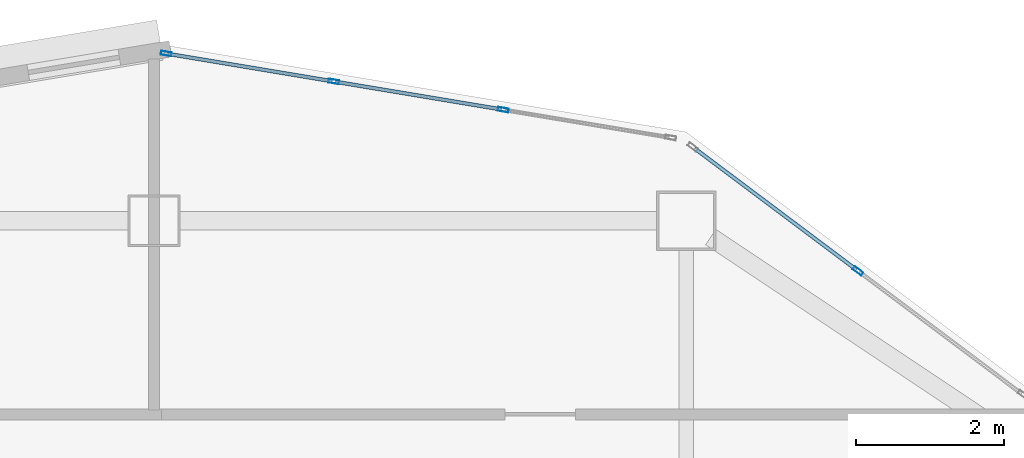
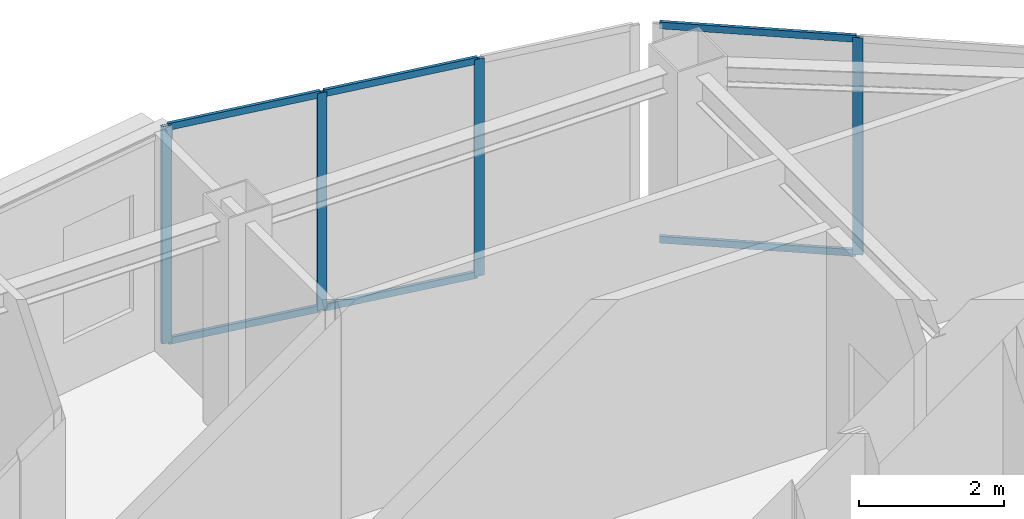
# One storey, part 2 of 10: 10 members, 2 elements without a shape of their own.
"""IFC4 building model written with IfcOpenShell, lengths in metres."""

import ifcopenshell
import ifcopenshell.guid

model = None  # the IFC model being written
_history = None  # IfcOwnerHistory: only IFC2X3 demands one
_inside = {}  # id of a spatial element -> (the spatial element, [elements in it])
_under = {}  # id of a project, library or spatial element -> (it, [spatial elements below it])
_declared = {}  # id of a project -> (the project, [libraries it declares])
_typed = {}  # id of a type object -> (the type object, [elements of that type])
_made_of = {}  # id of a material, layer set ... -> (it, [elements and type objects made of it])


def new_model(schema):
    """Start an empty IFC model of exactly this schema.

    Asked for "IFC4X3", IfcOpenShell would pick the latest addendum, in which some entities
    have other attributes; the version numbers below select the first issue.
    IFC2X3 requires an IfcOwnerHistory on every rooted entity: one is made here for all.
    """
    global model, _history
    if schema == "IFC4X3":
        model = ifcopenshell.file(schema_version=(4, 3, 0, 0))
    else:
        model = ifcopenshell.file(schema=schema)
    _inside.clear()
    _under.clear()
    _declared.clear()
    _typed.clear()
    _made_of.clear()
    _history = None
    if model.schema == "IFC2X3":
        org = make("IfcOrganization", Name="unknown")
        user = make(
            "IfcPersonAndOrganization",
            ThePerson=make("IfcPerson", FamilyName="unknown"),
            TheOrganization=org,
        )
        app = make(
            "IfcApplication",
            ApplicationDeveloper=org,
            Version="unknown",
            ApplicationFullName="unknown",
            ApplicationIdentifier="unknown",
        )
        _history = make(
            "IfcOwnerHistory",
            OwningUser=user,
            OwningApplication=app,
            ChangeAction="ADDED",
            CreationDate=0,
        )
    return model


def make(cls, **values):
    """One entity of the class cls with the attributes given. An attribute that is None is left unset."""
    return model.create_entity(
        cls, **{name: value for name, value in values.items() if value is not None}
    )


def rooted(cls, **values):
    """An entity with a GlobalId (a new one), such as an element, a storey or a relation."""
    return make(cls, GlobalId=ifcopenshell.guid.new(), OwnerHistory=_history, **values)


def si_unit(unit_type, name, prefix=None):
    """IfcSIUnit, for example si_unit("LENGTHUNIT", "METRE", prefix="MILLI")."""
    return make("IfcSIUnit", UnitType=unit_type, Prefix=prefix, Name=name)


def assignment(units):
    """IfcUnitAssignment: the units of a project."""
    return None if units is None else make("IfcUnitAssignment", Units=units)


def point(xyz):
    """IfcCartesianPoint."""
    return None if xyz is None else make("IfcCartesianPoint", Coordinates=xyz)


def direction(xyz):
    """IfcDirection."""
    return None if xyz is None else make("IfcDirection", DirectionRatios=xyz)


def frame(location, z_axis=None, x_axis=None):
    """IfcAxis2Placement3D, a coordinate frame: its origin and axes. An axis left out is left unset."""
    return make(
        "IfcAxis2Placement3D",
        Location=point(location),
        Axis=direction(z_axis),
        RefDirection=direction(x_axis),
    )


def frame_2d(location, x_axis=None):
    """IfcAxis2Placement2D, a coordinate frame in the plane: its origin and x axis."""
    return make(
        "IfcAxis2Placement2D", Location=point(location), RefDirection=direction(x_axis)
    )


def origin():
    """The frame at (0, 0, 0) with its axes left unset."""
    return frame((0.0, 0.0, 0.0))


def origin_2d():
    """The frame at (0, 0) in the plane with its x axis left unset."""
    return frame_2d((0.0, 0.0))


def place(relative_to, where):
    """IfcLocalPlacement: puts the frame where relative to a parent placement (None: the world)."""
    return make(
        "IfcLocalPlacement", PlacementRelTo=relative_to, RelativePlacement=where
    )


def context(
    kind, dimensions, precision=None, world=None, true_north=None, identifier=None
):
    """IfcGeometricRepresentationContext, for example the 3D "Model" context."""
    return make(
        "IfcGeometricRepresentationContext",
        ContextIdentifier=identifier,
        ContextType=kind,
        CoordinateSpaceDimension=dimensions,
        Precision=precision,
        WorldCoordinateSystem=world,
        TrueNorth=true_north,
    )


def subcontext(parent, identifier, kind, view, scale=None):
    """IfcGeometricRepresentationSubContext, for example "Body" below "Model"."""
    return make(
        "IfcGeometricRepresentationSubContext",
        ContextIdentifier=identifier,
        ContextType=kind,
        ParentContext=parent,
        TargetScale=scale,
        TargetView=view,
    )


def project(units=None, contexts=None):
    """IfcProject with its units and contexts."""
    return rooted(
        "IfcProject",
        Name="project",
        RepresentationContexts=contexts,
        UnitsInContext=assignment(units),
    )


def spatial(cls, under=None, at=None, **own):
    """A site, building, storey or space (cls), placed at a placement, below another one or the project."""
    s = rooted(cls, ObjectPlacement=at, **own)
    if under is not None:
        _under.setdefault(under.id(), (under, []))[1].append(s)
    return s


def profile(cls, at=None, kind="AREA", **sizes):
    """A parametric profile (cls). Its sizes go by their IFC names, for example OverallWidth=200.0."""
    return make(cls, ProfileType=kind, Position=at, **sizes)


def hollow_rectangle(**sizes):
    """IfcRectangleHollowProfileDef."""
    return profile("IfcRectangleHollowProfileDef", **sizes)


def extrude(swept, where, along, depth):
    """IfcExtrudedAreaSolid: the profile swept, set in the frame where, extruded along a direction by depth."""
    return make(
        "IfcExtrudedAreaSolid",
        SweptArea=swept,
        Position=where,
        ExtrudedDirection=direction(along),
        Depth=depth,
    )


def shape(context_of_items, identifier, shape_type, items):
    """IfcShapeRepresentation: the items that make up one representation, for example the "Body"."""
    return make(
        "IfcShapeRepresentation",
        ContextOfItems=context_of_items,
        RepresentationIdentifier=identifier,
        RepresentationType=shape_type,
        Items=items,
    )


def material(Name=None, Category=None):
    """IfcMaterial."""
    return make("IfcMaterial", Name=Name, Category=Category)


def layer(
    of_material, thickness, ventilated=None, Name=None, Category=None, Priority=None
):
    """IfcMaterialLayer: one layer of a wall or slab, of a material (None: an air gap)."""
    return make(
        "IfcMaterialLayer",
        Material=of_material,
        LayerThickness=thickness,
        IsVentilated=ventilated,
        Name=Name,
        Category=Category,
        Priority=Priority,
    )


def layer_set(layers, Name=None):
    """IfcMaterialLayerSet."""
    return make("IfcMaterialLayerSet", MaterialLayers=layers, LayerSetName=Name)


def material_profile(
    of_material, cross_section, Name=None, Category=None, Priority=None
):
    """IfcMaterialProfile: a cross section and its material."""
    return make(
        "IfcMaterialProfile",
        Name=Name,
        Material=of_material,
        Profile=cross_section,
        Priority=Priority,
        Category=Category,
    )


def profile_set(profiles, Name=None, composite=None):
    """IfcMaterialProfileSet."""
    return make(
        "IfcMaterialProfileSet",
        Name=Name,
        MaterialProfiles=profiles,
        CompositeProfile=composite,
    )


def made_of(thing, what):
    """Note that an element or type object is made of a material, layer set ...; save() writes the relation."""
    if what is not None:
        _made_of.setdefault(what.id(), (what, []))[1].append(thing)
    return thing


def type_object(cls, material=None, **own):
    """A type object (cls), such as IfcWallType, which elements share."""
    return made_of(rooted(cls, **own), material)


def element(
    cls,
    number,
    at=None,
    inside=None,
    cuts=None,
    type_object=None,
    material=None,
    context=None,
    identifier="Body",
    shape_type=None,
    held_by="IfcProductDefinitionShape",
    body=None,
    shapes=None,
    **own,
):
    """One element of the class cls, such as IfcWall. Its Tag is "e" and its number.

    at: its placement. inside: the storey or other place that contains it. cuts: it is an
    opening in that element (IfcRelVoidsElement). A single representation is given by context,
    identifier, shape_type and body (its items); several are given by shapes. held_by: the class
    of the entity that holds the representations. save() writes the other relations.
    """
    e = rooted(cls, Tag="e%d" % number, ObjectPlacement=at, **own)
    if body is not None:
        shapes = [shape(context, identifier, shape_type, body)]
    if shapes is not None:
        e.Representation = make(held_by, Representations=shapes)
    if inside is not None:
        _inside.setdefault(inside.id(), (inside, []))[1].append(e)
    if cuts is not None:
        rooted(
            "IfcRelVoidsElement", RelatingBuildingElement=cuts, RelatedOpeningElement=e
        )
    if type_object is not None:
        _typed.setdefault(type_object.id(), (type_object, []))[1].append(e)
    return made_of(e, material)


def aggregate(whole, parts):
    """IfcRelAggregates: a whole, such as a stair, and the parts it consists of."""
    return rooted("IfcRelAggregates", RelatingObject=whole, RelatedObjects=parts)


def save(model, path):
    """Write the relations noted so far, then the file.

    IfcRelAggregates (storeys below a building ...), IfcRelContainedInSpatialStructure (elements
    in a storey), IfcRelDefinesByType, IfcRelAssociatesMaterial and IfcRelDeclares: one each for
    every whole, place, type object, material and project.
    """
    for whole, parts in _under.values():
        aggregate(whole, parts)
    for where, things in _inside.values():
        rooted(
            "IfcRelContainedInSpatialStructure",
            RelatedElements=things,
            RelatingStructure=where,
        )
    for kind, things in _typed.values():
        rooted("IfcRelDefinesByType", RelatedObjects=things, RelatingType=kind)
    for what, things in _made_of.values():
        rooted("IfcRelAssociatesMaterial", RelatedObjects=things, RelatingMaterial=what)
    for by, libraries in _declared.values():
        rooted("IfcRelDeclares", RelatingContext=by, RelatedDefinitions=libraries)
    model.write(path)


model = new_model("IFC4")

# Units and contexts
model_context = context("Model", 3, precision=1e-05, world=origin(), true_north=direction((0.0, 1.0)))
body_context = subcontext(model_context, "Body", "Model", "MODEL_VIEW")
ifc_project = project(units=[si_unit("LENGTHUNIT", "METRE"), si_unit("AREAUNIT", "SQUARE_METRE"), si_unit("VOLUMEUNIT", "CUBIC_METRE"), si_unit("PLANEANGLEUNIT", "RADIAN"), si_unit("MASSUNIT", "GRAM", prefix="KILO")], contexts=[model_context])

# Site, building, storey
site_placement = place(None, origin())
site = spatial("IfcSite", under=ifc_project, at=site_placement, CompositionType="ELEMENT")
building_placement = place(site_placement, origin())
building = spatial("IfcBuilding", under=site, at=building_placement, Name="Haolan Belvedere Tower", CompositionType="ELEMENT")
storey_placement = place(building_placement, frame((0.0, 0.0, 246.75)))
storey = spatial("IfcBuildingStorey", under=building, at=storey_placement, Name="L62", CompositionType="ELEMENT", Elevation=246.75)

# Curtain wall, member
ifc_material_1 = material(Name="Anodised champagne-silver aluminium 6063-T6 and Low-E glass", Category="aluminium")
ifc_layer = layer(ifc_material_1, 0.14501953125, Name="Anodised champagne-silver aluminium 6063-T6 and Low-E glass")
ifc_layer_set = layer_set([ifc_layer], Name="Anodised champagne-silver aluminium 6063-T6 and Low-E glass")
curtain_wall_type = type_object("IfcCurtainWallType", Name="CW-SYS-05", PredefinedType="NOTDEFINED", material=ifc_layer_set)
curtain_wall_1_placement = place(storey_placement, origin())
curtain_wall_1 = element("IfcCurtainWall", 1, at=curtain_wall_1_placement, inside=storey, type_object=curtain_wall_type, Name="L62 CW-SYS-05 ribbon curtain wall 8.1", PredefinedType="NOTDEFINED")
ifc_material_2 = material(Name="Anodised aluminium 6063-T6", Category="aluminium")
ifc_material_profile_1 = material_profile(ifc_material_2, hollow_rectangle(XDim=0.053955078125, YDim=0.14501953125, WallThickness=0.00390625, at=origin_2d()), Name="Anodised aluminium 6063-T6")
ifc_profile_set_1 = profile_set([ifc_material_profile_1], Name="Anodised aluminium 6063-T6")
member_type_1 = type_object("IfcMemberType", Name="CW-SYS-05-MUL", PredefinedType="MULLION", material=ifc_profile_set_1)
member_1_placement = place(storey_placement, frame((47.9228515625, 49.720458984375, 0.0), z_axis=(0.0, 0.0, 1.0), x_axis=(-0.600002837806, -0.799997871638, 0.0)))
member_1 = element("IfcMember", 2, at=member_1_placement, type_object=member_type_1, Name="CW-05 mullion 2", PredefinedType="MULLION", context=body_context, shape_type="SweptSolid", body=[
    extrude(hollow_rectangle(XDim=0.053955078125, YDim=0.14501953125, WallThickness=0.00390625, at=origin_2d()), origin(), (0.0, 0.0, 1.0), 3.669921875),
])

# Curtain wall, members
curtain_wall_2_placement = place(storey_placement, origin())
curtain_wall_2 = element("IfcCurtainWall", 3, at=curtain_wall_2_placement, inside=storey, type_object=curtain_wall_type, Name="L62 CW-SYS-05 ribbon curtain wall 9.1", PredefinedType="NOTDEFINED")
member_2_placement = place(storey_placement, frame((43.124267578125, 51.901123046875, 0.0), z_axis=(0.0, 0.0, 1.0), x_axis=(-0.164405962825, -0.98639276122, 0.0)))
member_2 = element("IfcMember", 4, at=member_2_placement, type_object=member_type_1, Name="CW-05 mullion 2", PredefinedType="MULLION", context=body_context, shape_type="SweptSolid", body=[
    extrude(hollow_rectangle(XDim=0.053955078125, YDim=0.14501953125, WallThickness=0.00390625, at=origin_2d()), origin(), (0.0, 0.0, 1.0), 3.669921875),
])
member_3_placement = place(storey_placement, frame((40.831298828125, 52.283203125, 0.0), z_axis=(0.0, 0.0, 1.0), x_axis=(-0.164405962825, -0.98639276122, 0.0)))
member_3 = element("IfcMember", 5, at=member_3_placement, type_object=member_type_1, Name="CW-05 mullion 3", PredefinedType="MULLION", context=body_context, shape_type="SweptSolid", body=[
    extrude(hollow_rectangle(XDim=0.053955078125, YDim=0.14501953125, WallThickness=0.00390625, at=origin_2d()), origin(), (0.0, 0.0, 1.0), 3.669921875),
])
member_4_placement = place(storey_placement, frame((38.564697265625, 52.6611328125, 0.0), z_axis=(0.0, 0.0, 1.0), x_axis=(-0.164405962825, -0.98639276122, 0.0)))
member_4 = element("IfcMember", 6, at=member_4_placement, type_object=member_type_1, Name="CW-05 mullion 4", PredefinedType="MULLION", context=body_context, shape_type="SweptSolid", body=[
    extrude(hollow_rectangle(XDim=0.053955078125, YDim=0.14501953125, WallThickness=0.00390625, at=origin_2d()), origin(), (0.0, 0.0, 1.0), 3.669921875),
])

# Member
ifc_material_profile_2 = material_profile(ifc_material_2, hollow_rectangle(XDim=0.050048828125, YDim=0.114990234375, WallThickness=0.00390625, at=origin_2d()), Name="Anodised aluminium 6063-T6")
ifc_profile_set_2 = profile_set([ifc_material_profile_2], Name="Anodised aluminium 6063-T6")
member_type_2 = type_object("IfcMemberType", Name="CW-SYS-05-TRN", PredefinedType="USERDEFINED", material=ifc_profile_set_2)
member_5_placement = place(storey_placement, frame((47.901123046875, 49.736572265625, 0.02490234375), z_axis=(-0.8, 0.6, 0.0), x_axis=(-0.6, -0.8, 0.0)))
member_5 = element("IfcMember", 7, at=member_5_placement, type_object=member_type_2, Name="CW-05 transom 2.1", ObjectType="TRANSOM", PredefinedType="USERDEFINED", context=body_context, shape_type="SweptSolid", body=[
    extrude(hollow_rectangle(XDim=0.050048828125, YDim=0.114990234375, WallThickness=0.00390625, at=origin_2d()), origin(), (0.0, 0.0, 1.0), 2.738037109375),
])

member_6_placement = place(storey_placement, frame((47.901123046875, 49.736572265625, 3.64501953125), z_axis=(-0.8, 0.6, 0.0), x_axis=(-0.6, -0.8, 0.0)))
member_6 = element("IfcMember", 8, at=member_6_placement, type_object=member_type_2, Name="CW-05 transom 2.2", ObjectType="TRANSOM", PredefinedType="USERDEFINED", context=body_context, shape_type="SweptSolid", body=[
    extrude(hollow_rectangle(XDim=0.050048828125, YDim=0.114990234375, WallThickness=0.00390625, at=origin_2d()), origin(), (0.0, 0.0, 1.0), 2.738037109375),
])

aggregate(curtain_wall_1, [member_1, member_5, member_6])

member_7_placement = place(storey_placement, frame((43.09765625, 51.905517578125, 0.02490234375), z_axis=(-0.986393923832, 0.164398987305, 0.0), x_axis=(-0.164398987305, -0.986393923832, 0.0)))
member_7 = element("IfcMember", 9, at=member_7_placement, type_object=member_type_2, Name="CW-05 transom 2.1", ObjectType="TRANSOM", PredefinedType="USERDEFINED", context=body_context, shape_type="SweptSolid", body=[
    extrude(hollow_rectangle(XDim=0.050048828125, YDim=0.114990234375, WallThickness=0.00390625, at=origin_2d()), origin(), (0.0, 0.0, 1.0), 2.270751953125),
])

member_8_placement = place(storey_placement, frame((43.09765625, 51.905517578125, 3.64501953125), z_axis=(-0.986393923832, 0.164398987305, 0.0), x_axis=(-0.164398987305, -0.986393923832, 0.0)))
member_8 = element("IfcMember", 10, at=member_8_placement, type_object=member_type_2, Name="CW-05 transom 2.2", ObjectType="TRANSOM", PredefinedType="USERDEFINED", context=body_context, shape_type="SweptSolid", body=[
    extrude(hollow_rectangle(XDim=0.050048828125, YDim=0.114990234375, WallThickness=0.00390625, at=origin_2d()), origin(), (0.0, 0.0, 1.0), 2.270751953125),
])

member_9_placement = place(storey_placement, frame((40.8046875, 52.287841796875, 0.02490234375), z_axis=(-0.986393923832, 0.164398987305, 0.0), x_axis=(-0.164398987305, -0.986393923832, 0.0)))
member_9 = element("IfcMember", 11, at=member_9_placement, type_object=member_type_2, Name="CW-05 transom 3.1", ObjectType="TRANSOM", PredefinedType="USERDEFINED", context=body_context, shape_type="SweptSolid", body=[
    extrude(hollow_rectangle(XDim=0.050048828125, YDim=0.114990234375, WallThickness=0.00390625, at=origin_2d()), origin(), (0.0, 0.0, 1.0), 2.243896484375),
])

member_10_placement = place(storey_placement, frame((40.8046875, 52.287841796875, 3.64501953125), z_axis=(-0.986393923832, 0.164398987305, 0.0), x_axis=(-0.164398987305, -0.986393923832, 0.0)))
member_10 = element("IfcMember", 12, at=member_10_placement, type_object=member_type_2, Name="CW-05 transom 3.2", ObjectType="TRANSOM", PredefinedType="USERDEFINED", context=body_context, shape_type="SweptSolid", body=[
    extrude(hollow_rectangle(XDim=0.050048828125, YDim=0.114990234375, WallThickness=0.00390625, at=origin_2d()), origin(), (0.0, 0.0, 1.0), 2.243896484375),
])

aggregate(curtain_wall_2, [member_2, member_3, member_4, member_7, member_8, member_9, member_10])

save(model, "model.ifc")
